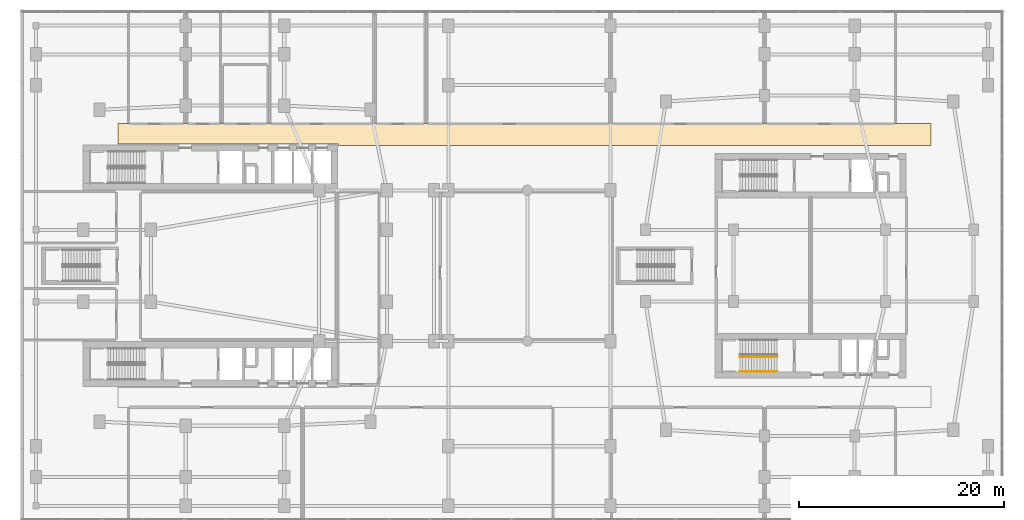
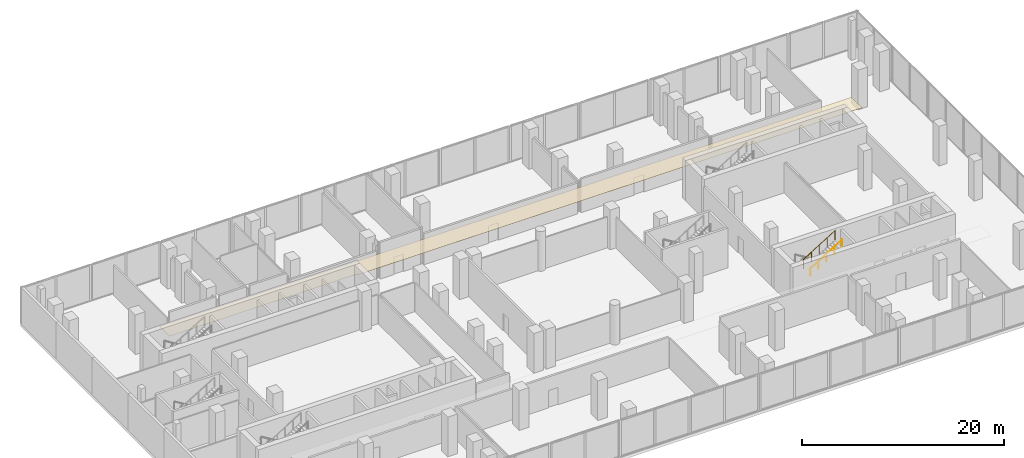
# One storey, part 22 of 23: 2 railings, 1 covering.
"""IFC4 building model written with IfcOpenShell, lengths in metres."""

from ifc_helpers import new_model, si_unit, derived_unit, direction, frame, origin, origin_2d, place, context, subcontext, project, spatial, polyline, circle, outline, extrude, material, layer, layer_set, type_object, element, save


model = new_model("IFC4")

# Units and contexts
model_context = context("Model", 3, precision=1e-05, world=origin(), true_north=direction((0.0, 1.0)))
body_context = subcontext(model_context, "Body", "Model", "MODEL_VIEW")
ifc_project = project(units=[si_unit("LENGTHUNIT", "METRE"), si_unit("AREAUNIT", "SQUARE_METRE"), si_unit("VOLUMEUNIT", "CUBIC_METRE"), si_unit("PLANEANGLEUNIT", "RADIAN"), si_unit("MASSUNIT", "GRAM", prefix="KILO"), derived_unit("THERMALTRANSMITTANCEUNIT", [(si_unit("POWERUNIT", "WATT"), 1), (si_unit("LENGTHUNIT", "METRE"), -2), (si_unit("THERMODYNAMICTEMPERATUREUNIT", "KELVIN"), -1)])], contexts=[model_context])

# Site, building, storey
site_placement = place(None, origin())
site = spatial("IfcSite", under=ifc_project, at=site_placement, CompositionType="ELEMENT")
building_placement = place(site_placement, origin())
building = spatial("IfcBuilding", under=site, at=building_placement, Name="Kivonza Crest Hotel", CompositionType="ELEMENT")
storey_placement = place(building_placement, frame((0.0, 0.0, 5.39990234375)))
storey = spatial("IfcBuildingStorey", under=building, at=storey_placement, Name="L01", CompositionType="ELEMENT", Elevation=5.39990234375)

# Covering
ifc_material_1 = material(Name="Mineral-fibre acoustic ceiling tile", Category="gypsum")
ifc_layer = layer(ifc_material_1, 0.02490234375)
ifc_layer_set = layer_set([ifc_layer], Name="Mineral-fibre acoustic ceiling tile")
covering_type = type_object("IfcCoveringType", Name="CV-CEIL-ACOU", PredefinedType="CEILING", material=ifc_layer_set)
covering_placement = place(storey_placement, frame((0.0, 0.0, 3.0)))
element("IfcCovering", 1, at=covering_placement, inside=storey, type_object=covering_type, Name="L01 L01 North and West Podium Corridor suspended ceiling", PredefinedType="CEILING", context=body_context, shape_type="SweptSolid", body=[
    extrude(outline(polyline([(88.840087890625, 38.840087890625), (9.610107421875, 38.840087890625), (9.610107421875, 36.860107421875), (31.10009765625, 36.860107421875), (31.10009765625, 36.719970703125), (88.840087890625, 36.719970703125), (88.840087890625, 38.840087890625)])), origin(), (0.0, 0.0, 1.0), 0.025146484375),
])

# Railings
ifc_material_2 = material(Name="Brushed stainless steel handrail", Category="steel")
railing_type_1 = type_object("IfcRailingType", Name="RL-HAND-900", PredefinedType="HANDRAIL", material=ifc_material_2)
railing_1_placement = place(storey_placement, frame((70.199951171875, 14.7099609375, 2.571533203125)))
element("IfcRailing", 2, at=railing_1_placement, inside=storey, type_object=railing_type_1, Name="L01 ST-T2-S stair handrail 2", PredefinedType="HANDRAIL", context=body_context, shape_type="SweptSolid", body=[
    extrude(circle(Radius=0.02392578125, at=origin_2d()), frame((0.0, 0.0, 0.8759765625), z_axis=(0.852865859571, 0.0, 0.52213008492), x_axis=(0.0, 1.0, 0.0)), (0.0, 0.0, 1.0), 4.26806640625),
    extrude(circle(Radius=0.02099609375, at=origin_2d()), origin(), (0.0, 0.0, 1.0), 0.851806640625),
    extrude(circle(Radius=0.02099609375, at=origin_2d()), frame((0.91015625, 0.0, 0.55712890625)), (0.0, 0.0, 1.0), 0.851806640625),
    extrude(circle(Radius=0.02099609375, at=origin_2d()), frame((1.820068359375, 0.0, 1.1142578125)), (0.0, 0.0, 1.0), 0.851806640625),
    extrude(circle(Radius=0.02099609375, at=origin_2d()), frame((2.72998046875, 0.0, 1.67138671875)), (0.0, 0.0, 1.0), 0.851806640625),
    extrude(circle(Radius=0.02099609375, at=origin_2d()), frame((3.64013671875, 0.0, 2.228515625)), (0.0, 0.0, 1.0), 0.851806640625),
])
ifc_material_3 = material(Name="Painted steel balustrade", Category="steel")
railing_type_2 = type_object("IfcRailingType", Name="RL-STAIR-1150", PredefinedType="BALUSTRADE", material=ifc_material_3)
railing_2_placement = place(storey_placement, frame((70.199951171875, 16.110107421875, 2.571533203125)))
element("IfcRailing", 3, at=railing_2_placement, inside=storey, type_object=railing_type_2, Name="L01 ST-T2-S stair guard 3", PredefinedType="BALUSTRADE", context=body_context, shape_type="SweptSolid", body=[
    extrude(circle(Radius=0.02392578125, at=origin_2d()), frame((0.0, 0.0, 1.1259765625), z_axis=(0.852865859571, 0.0, 0.52213008492), x_axis=(0.0, 1.0, 0.0)), (0.0, 0.0, 1.0), 4.26806640625),
    extrude(circle(Radius=0.02099609375, at=origin_2d()), origin(), (0.0, 0.0, 1.0), 1.101806640625),
    extrude(circle(Radius=0.02099609375, at=origin_2d()), frame((0.91015625, 0.0, 0.55712890625)), (0.0, 0.0, 1.0), 1.101806640625),
    extrude(circle(Radius=0.02099609375, at=origin_2d()), frame((1.820068359375, 0.0, 1.1142578125)), (0.0, 0.0, 1.0), 1.101806640625),
    extrude(circle(Radius=0.02099609375, at=origin_2d()), frame((2.72998046875, 0.0, 1.67138671875)), (0.0, 0.0, 1.0), 1.101806640625),
    extrude(circle(Radius=0.02099609375, at=origin_2d()), frame((3.64013671875, 0.0, 2.228515625)), (0.0, 0.0, 1.0), 1.101806640625),
])

save(model, "model.ifc")
